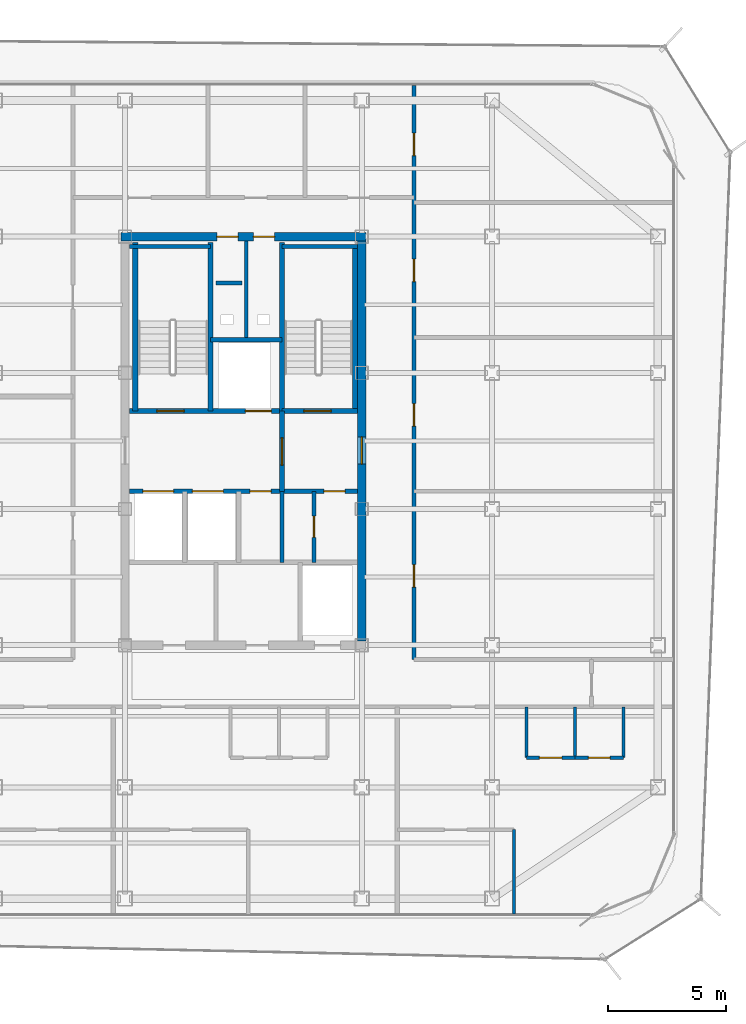
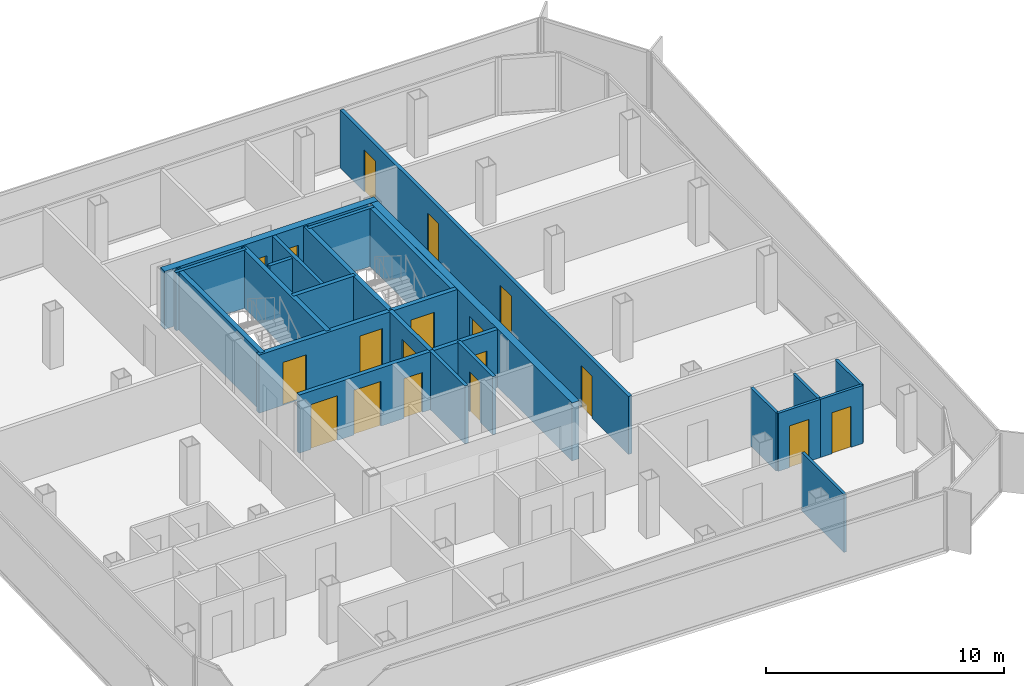
# One storey, part 11 of 15: 24 walls, 18 doors, 18 openings.
"""IFC4 building model written with IfcOpenShell, lengths in metres."""

from ifc_helpers import new_model, si_unit, direction, frame, frame_2d, origin, place, context, subcontext, project, spatial, rectangle, extrude, material, layer, layer_set, type_object, element, fill, save


model = new_model("IFC4")

# Units and contexts
model_context = context("Model", 3, precision=1e-05, world=origin(), true_north=direction((0.0, 1.0)))
body_context = subcontext(model_context, "Body", "Model", "MODEL_VIEW")
ifc_project = project(units=[si_unit("LENGTHUNIT", "METRE"), si_unit("AREAUNIT", "SQUARE_METRE"), si_unit("VOLUMEUNIT", "CUBIC_METRE"), si_unit("PLANEANGLEUNIT", "RADIAN"), si_unit("MASSUNIT", "GRAM", prefix="KILO")], contexts=[model_context])

# Site, building, storey
site_placement = place(None, origin())
site = spatial("IfcSite", under=ifc_project, at=site_placement, CompositionType="ELEMENT")
building_placement = place(site_placement, origin())
building = spatial("IfcBuilding", under=site, at=building_placement, Name="Kolveth Station Tower", CompositionType="ELEMENT")
storey_placement = place(building_placement, frame((0.0, 0.0, 223.300048828125)))
storey = spatial("IfcBuildingStorey", under=building, at=storey_placement, Name="L63", CompositionType="ELEMENT", Elevation=223.300048828125)

# Wall, openings, doors
ifc_material_1 = material(Name="Concrete C50/60", Category="concrete")
ifc_layer_1 = layer(ifc_material_1, 0.35009765625)
ifc_layer_set_1 = layer_set([ifc_layer_1], Name="Concrete C50/60")
wall_type_1 = type_object("IfcWallType", Name="Wall_CW-350", PredefinedType="SHEAR", material=ifc_layer_set_1)
wall_1_placement = place(storey_placement, frame((18.324951171875, 28.75, 0.0), z_axis=(0.0, 0.0, 1.0), x_axis=(1.0, 0.0, 0.0)))
wall_1 = element("IfcWall", 1, at=wall_1_placement, inside=storey, type_object=wall_type_1, Name="L63 Core RC Shear Wall N", PredefinedType="SHEAR", context=body_context, shape_type="SweptSolid", body=[
    extrude(rectangle(XDim=10.35009765625, YDim=0.35009765625, at=frame_2d((5.175048828125, 0.0))), origin(), (0.0, 0.0, 1.0), 2.97998046875),
])
opening_1_placement = place(wall_1_placement, frame((4.054931640625, 0.0, 0.0)))
opening_1 = element("IfcOpeningElement", 2, at=opening_1_placement, cuts=wall_1, Name="Opening RD1", PredefinedType="OPENING", context=body_context, shape_type="SweptSolid", body=[
    extrude(rectangle(XDim=0.89990234375, YDim=2.050048828125, at=frame_2d((0.449951171875, 1.02490234375))), frame((0.0, 0.18505859375, 0.0), z_axis=(0.0, -1.0, 0.0), x_axis=(1.0, 0.0, 0.0)), (0.0, 0.0, 1.0), 0.3701171875),
])
opening_2_placement = place(wall_1_placement, frame((5.594970703125, 0.0, 0.0)))
opening_2 = element("IfcOpeningElement", 3, at=opening_2_placement, cuts=wall_1, Name="Opening RD1", PredefinedType="OPENING", context=body_context, shape_type="SweptSolid", body=[
    extrude(rectangle(XDim=0.89990234375, YDim=2.050048828125, at=frame_2d((0.449951171875, 1.02490234375))), frame((0.0, 0.18505859375, 0.0), z_axis=(0.0, -1.0, 0.0), x_axis=(1.0, 0.0, 0.0)), (0.0, 0.0, 1.0), 0.3701171875),
])
ifc_material_2 = material(Name="Fire-rated Steel S355 riser access leaf", Category="steel")
door_type_1 = type_object("IfcDoorType", Name="Door_RD1", OperationType="NOTDEFINED", PredefinedType="DOOR", material=ifc_material_2)
door_1_placement = place(opening_1_placement, origin())
door_1 = element("IfcDoor", 4, at=door_1_placement, inside=storey, type_object=door_type_1, Name="L63 Electrical Riser Access Door", OperationType="SINGLE_SWING_LEFT", OverallHeight=2.050048828125, OverallWidth=0.89990234375, PredefinedType="DOOR", context=body_context, shape_type="SweptSolid", body=[
    extrude(rectangle(XDim=0.89990234375, YDim=2.050048828125, at=frame_2d((0.449951171875, 1.02490234375))), frame((0.0, 0.02490234375, 0.0), z_axis=(0.0, -1.0, 0.0), x_axis=(1.0, 0.0, 0.0)), (0.0, 0.0, 1.0), 0.050048828125),
])
fill(opening_1, door_1)
door_2_placement = place(opening_2_placement, origin())
door_2 = element("IfcDoor", 5, at=door_2_placement, inside=storey, type_object=door_type_1, Name="L63 Smoke Duct Access Door", OperationType="SINGLE_SWING_RIGHT", OverallHeight=2.050048828125, OverallWidth=0.89990234375, PredefinedType="DOOR", context=body_context, shape_type="SweptSolid", body=[
    extrude(rectangle(XDim=0.89990234375, YDim=2.050048828125, at=frame_2d((0.449951171875, 1.02490234375))), frame((0.0, 0.02490234375, 0.0), z_axis=(0.0, -1.0, 0.0), x_axis=(1.0, 0.0, 0.0)), (0.0, 0.0, 1.0), 0.050048828125),
])
fill(opening_2, door_2)

# Wall, opening, door
wall_2_placement = place(storey_placement, frame((28.5, 11.675048828125, 0.0), z_axis=(0.0, 0.0, 1.0), x_axis=(0.0, 1.0, 0.0)))
wall_2 = element("IfcWall", 6, at=wall_2_placement, inside=storey, type_object=wall_type_1, Name="L63 Core RC Shear Wall E", PredefinedType="SHEAR", context=body_context, shape_type="SweptSolid", body=[
    extrude(rectangle(XDim=16.89990234375, YDim=0.35009765625, at=frame_2d((8.449951171875, 0.0))), origin(), (0.0, 0.0, 1.0), 2.97998046875),
])
opening_3_placement = place(wall_2_placement, frame((7.47509765625, 0.0, 0.0)))
opening_3 = element("IfcOpeningElement", 7, at=opening_3_placement, cuts=wall_2, Name="Opening FD1", PredefinedType="OPENING", context=body_context, shape_type="SweptSolid", body=[
    extrude(rectangle(XDim=1.14990234375, YDim=2.199951171875, at=frame_2d((0.574951171875, 1.10009765625))), frame((0.0, 0.18505859375, 0.0), z_axis=(0.0, -1.0, 0.0), x_axis=(1.0, 0.0, 0.0)), (0.0, 0.0, 1.0), 0.3701171875),
])
ifc_material_3 = material(Name="Fire-rated Steel S355 leaf and frame", Category="steel")
door_type_2 = type_object("IfcDoorType", Name="Door_FD1", OperationType="NOTDEFINED", PredefinedType="DOOR", material=ifc_material_3)
door_3_placement = place(opening_3_placement, origin())
door_3 = element("IfcDoor", 8, at=door_3_placement, inside=storey, type_object=door_type_2, Name="L63 East Corridor to Stair Lobby Door", OperationType="SINGLE_SWING_RIGHT", OverallHeight=2.199951171875, OverallWidth=1.14990234375, PredefinedType="DOOR", context=body_context, shape_type="SweptSolid", body=[
    extrude(rectangle(XDim=1.14990234375, YDim=2.199951171875, at=frame_2d((0.574951171875, 1.10009765625))), frame((0.0, 0.02490234375, 0.0), z_axis=(0.0, -1.0, 0.0), x_axis=(1.0, 0.0, 0.0)), (0.0, 0.0, 1.0), 0.050048828125),
])
fill(opening_3, door_3)

ifc_material_4 = material(Name="Moisture-resistant gypsum partition")
ifc_layer_2 = layer(ifc_material_4, 0.135009765625)
ifc_layer_set_2 = layer_set([ifc_layer_2], Name="Moisture-resistant gypsum partition")
wall_type_2 = type_object("IfcWallType", Name="Wall_IW-135", PredefinedType="PARTITIONING", material=ifc_layer_set_2)
wall_3_placement = place(storey_placement, frame((35.449951171875, 6.75, 0.0), z_axis=(0.0, 0.0, 1.0), x_axis=(1.0, 0.0, 0.0)))
wall_3 = element("IfcWall", 9, at=wall_3_placement, inside=storey, type_object=wall_type_2, Name="L63 Partition Wall WL-L63-A3-IBHK", PredefinedType="PARTITIONING", context=body_context, shape_type="SweptSolid", body=[
    extrude(rectangle(XDim=2.050048828125, YDim=0.135009765625, at=frame_2d((1.02490234375, 0.0))), origin(), (0.0, 0.0, 1.0), 2.97998046875),
])
opening_4_placement = place(wall_3_placement, frame((0.544921875, 0.0, 0.0)))
opening_4 = element("IfcOpeningElement", 10, at=opening_4_placement, cuts=wall_3, Name="Opening ID1", PredefinedType="OPENING", context=body_context, shape_type="SweptSolid", body=[
    extrude(rectangle(XDim=0.949951171875, YDim=2.14990234375, at=frame_2d((0.47509765625, 1.074951171875))), frame((0.0, 0.077392578125, 0.0), z_axis=(0.0, -1.0, 0.0), x_axis=(1.0, 0.0, 0.0)), (0.0, 0.0, 1.0), 0.155029296875),
])
ifc_material_5 = material(Name="Acoustic hardwood leaf and aluminium frame", Category="wood")
door_type_3 = type_object("IfcDoorType", Name="Door_ID1", OperationType="NOTDEFINED", PredefinedType="DOOR", material=ifc_material_5)
door_4_placement = place(opening_4_placement, origin())
door_4 = element("IfcDoor", 11, at=door_4_placement, inside=storey, type_object=door_type_3, Name="Flat L63-A3 Kitchen Door", OperationType="SINGLE_SWING_LEFT", OverallHeight=2.14990234375, OverallWidth=0.949951171875, PredefinedType="DOOR", context=body_context, shape_type="SweptSolid", body=[
    extrude(rectangle(XDim=0.949951171875, YDim=2.14990234375, at=frame_2d((0.47509765625, 1.074951171875))), frame((0.0, 0.02490234375, 0.0), z_axis=(0.0, -1.0, 0.0), x_axis=(1.0, 0.0, 0.0)), (0.0, 0.0, 1.0), 0.050048828125),
])
fill(opening_4, door_4)

wall_4_placement = place(storey_placement, frame((37.5, 6.75, 0.0), z_axis=(0.0, 0.0, 1.0), x_axis=(1.0, 0.0, 0.0)))
wall_4 = element("IfcWall", 12, at=wall_4_placement, inside=storey, type_object=wall_type_2, Name="L63 Partition Wall WL-L63-A3-IBHB", PredefinedType="PARTITIONING", context=body_context, shape_type="SweptSolid", body=[
    extrude(rectangle(XDim=2.050048828125, YDim=0.135009765625, at=frame_2d((1.02490234375, 0.0))), origin(), (0.0, 0.0, 1.0), 2.97998046875),
])
opening_5_placement = place(wall_4_placement, frame((0.56494140625, 0.0, 0.0)))
opening_5 = element("IfcOpeningElement", 13, at=opening_5_placement, cuts=wall_4, Name="Opening ID2", PredefinedType="OPENING", context=body_context, shape_type="SweptSolid", body=[
    extrude(rectangle(XDim=0.919921875, YDim=2.10009765625, at=frame_2d((0.4599609375, 1.050048828125))), frame((0.0, 0.077392578125, 0.0), z_axis=(0.0, -1.0, 0.0), x_axis=(1.0, 0.0, 0.0)), (0.0, 0.0, 1.0), 0.155029296875),
])
ifc_material_6 = material(Name="Moisture-resistant hardwood leaf", Category="wood")
door_type_4 = type_object("IfcDoorType", Name="Door_ID2", OperationType="NOTDEFINED", PredefinedType="DOOR", material=ifc_material_6)
door_5_placement = place(opening_5_placement, origin())
door_5 = element("IfcDoor", 14, at=door_5_placement, inside=storey, type_object=door_type_4, Name="Flat L63-A3 Bathroom Door", OperationType="SINGLE_SWING_RIGHT", OverallHeight=2.10009765625, OverallWidth=0.919921875, PredefinedType="DOOR", context=body_context, shape_type="SweptSolid", body=[
    extrude(rectangle(XDim=0.919921875, YDim=2.10009765625, at=frame_2d((0.4599609375, 1.050048828125))), frame((0.0, 0.02490234375, 0.0), z_axis=(0.0, -1.0, 0.0), x_axis=(1.0, 0.0, 0.0)), (0.0, 0.0, 1.0), 0.050048828125),
])
fill(opening_5, door_5)

# Walls
for number, where, z_axis, x_axis, name in (
    (15, (35.449951171875, 6.75, 0.0), (0.0, 0.0, 1.0), (0.0, 1.0, 0.0), "L63 Partition Wall WL-L63-A3-IBV0"),
    (16, (37.5, 6.75, 0.0), (0.0, 0.0, 1.0), (0.0, 1.0, 0.0), "L63 Partition Wall WL-L63-A3-IBV1"),
    (17, (39.550048828125, 6.75, 0.0), (0.0, 0.0, 1.0), (0.0, 1.0, 0.0), "L63 Partition Wall WL-L63-A3-IBV2"),
):
    element("IfcWall", number, at=place(storey_placement, frame(where, z_axis=z_axis, x_axis=x_axis)), inside=storey, type_object=wall_type_2, Name=name, PredefinedType="PARTITIONING", context=body_context, shape_type="SweptSolid", body=[
        extrude(rectangle(XDim=2.14990234375, YDim=0.135009765625, at=frame_2d((1.074951171875, 0.0))), origin(), (0.0, 0.0, 1.0), 2.97998046875),
    ])
wall_5_placement = place(storey_placement, frame((34.928955078125, 0.159912109375, 0.0), z_axis=(0.0, 0.0, 1.0), x_axis=(0.0, 1.0, 0.0)))
element("IfcWall", 18, at=wall_5_placement, inside=storey, type_object=wall_type_2, Name="L63 Partition Wall WL-L63-A3-BDVE", PredefinedType="PARTITIONING", context=body_context, shape_type="SweptSolid", body=[
    extrude(rectangle(XDim=3.550048828125, YDim=0.135009765625, at=frame_2d((1.77490234375, 0.0))), origin(), (0.0, 0.0, 1.0), 2.97998046875),
])
ifc_material_7 = material(Name="Acoustic double-stud gypsum partition")
ifc_layer_3 = layer(ifc_material_7, 0.1650390625)
ifc_layer_set_3 = layer_set([ifc_layer_3], Name="Acoustic double-stud gypsum partition")
wall_type_3 = type_object("IfcWallType", Name="Wall_IW-165", PredefinedType="PARTITIONING", material=ifc_layer_set_3)
wall_6_placement = place(storey_placement, frame((18.68505859375, 28.3349609375, 0.0), z_axis=(0.0, 0.0, 1.0), x_axis=(1.0, 0.0, 0.0)))
element("IfcWall", 19, at=wall_6_placement, inside=storey, type_object=wall_type_3, Name="L63 Stair Shaft Wall WL-L63-ST1-N", PredefinedType="PARTITIONING", context=body_context, shape_type="SweptSolid", body=[
    extrude(rectangle(XDim=3.425048828125, YDim=0.1650390625, at=frame_2d((1.71240234375, 0.0))), origin(), (0.0, 0.0, 1.0), 2.97998046875),
])
wall_7_placement = place(storey_placement, frame((25.1298828125, 28.3349609375, 0.0), z_axis=(0.0, 0.0, 1.0), x_axis=(1.0, 0.0, 0.0)))
element("IfcWall", 20, at=wall_7_placement, inside=storey, type_object=wall_type_3, Name="L63 Stair Shaft Wall WL-L63-ST2-N", PredefinedType="PARTITIONING", context=body_context, shape_type="SweptSolid", body=[
    extrude(rectangle(XDim=3.18505859375, YDim=0.1650390625, at=frame_2d((1.592529296875, 0.0))), origin(), (0.0, 0.0, 1.0), 2.97998046875),
])
wall_8_placement = place(storey_placement, frame((23.6201171875, 24.39990234375, 0.0), z_axis=(0.0, 0.0, 1.0), x_axis=(0.0, 1.0, 0.0)))
element("IfcWall", 21, at=wall_8_placement, inside=storey, type_object=wall_type_3, Name="L63 Partition Wall WL-L63-RSR-M", PredefinedType="PARTITIONING", context=body_context, shape_type="SweptSolid", body=[
    extrude(rectangle(XDim=4.1650390625, YDim=0.1650390625, at=frame_2d((2.08251953125, 0.0))), origin(), (0.0, 0.0, 1.0), 2.97998046875),
])
wall_9_placement = place(storey_placement, frame((25.1298828125, 15.0, 0.0), z_axis=(0.0, 0.0, 1.0), x_axis=(0.0, 1.0, 0.0)))
element("IfcWall", 22, at=wall_9_placement, inside=storey, type_object=wall_type_3, Name="L63 Partition Wall WL-L63-CB-V3A", PredefinedType="PARTITIONING", context=body_context, shape_type="SweptSolid", body=[
    extrude(rectangle(XDim=3.0, YDim=0.1650390625, at=frame_2d((1.5, 0.0))), origin(), (0.0, 0.0, 1.0), 2.97998046875),
])

# Wall, opening, door
wall_10_placement = place(storey_placement, frame((26.47998046875, 15.0, 0.0), z_axis=(0.0, 0.0, 1.0), x_axis=(0.0, 1.0, 0.0)))
wall_10 = element("IfcWall", 23, at=wall_10_placement, inside=storey, type_object=wall_type_3, Name="L63 Partition Wall WL-L63-CB-V3B", PredefinedType="PARTITIONING", context=body_context, shape_type="SweptSolid", body=[
    extrude(rectangle(XDim=3.0, YDim=0.1650390625, at=frame_2d((1.5, 0.0))), origin(), (0.0, 0.0, 1.0), 2.97998046875),
])
opening_6_placement = place(wall_10_placement, frame((1.050048828125, 0.0, 0.0)))
opening_6 = element("IfcOpeningElement", 24, at=opening_6_placement, cuts=wall_10, Name="Opening RD1", PredefinedType="OPENING", context=body_context, shape_type="SweptSolid", body=[
    extrude(rectangle(XDim=0.89990234375, YDim=2.050048828125, at=frame_2d((0.449951171875, 1.02490234375))), frame((0.0, 0.092529296875, 0.0), z_axis=(0.0, -1.0, 0.0), x_axis=(1.0, 0.0, 0.0)), (0.0, 0.0, 1.0), 0.18505859375),
])
door_6_placement = place(opening_6_placement, origin())
door_6 = element("IfcDoor", 25, at=door_6_placement, inside=storey, type_object=door_type_1, Name="L63 Core Meter Closet Door", OperationType="SINGLE_SWING_LEFT", OverallHeight=2.050048828125, OverallWidth=0.89990234375, PredefinedType="DOOR", context=body_context, shape_type="SweptSolid", body=[
    extrude(rectangle(XDim=0.89990234375, YDim=2.050048828125, at=frame_2d((0.449951171875, 1.02490234375))), frame((0.0, 0.02490234375, 0.0), z_axis=(0.0, -1.0, 0.0), x_axis=(1.0, 0.0, 0.0)), (0.0, 0.0, 1.0), 0.050048828125),
])
fill(opening_6, door_6)

# Wall, openings, doors
wall_11_placement = place(storey_placement, frame((30.699951171875, 10.89990234375, 0.0), z_axis=(0.0, 0.0, 1.0), x_axis=(0.0, 1.0, 0.0)))
wall_11 = element("IfcWall", 26, at=wall_11_placement, inside=storey, type_object=wall_type_3, Name="L63 Partition Wall WL-L63-RE", PredefinedType="PARTITIONING", context=body_context, shape_type="SweptSolid", body=[
    extrude(rectangle(XDim=24.239990234375, YDim=0.1650390625, at=frame_2d((12.1201171875, 0.0))), origin(), (0.0, 0.0, 1.0), 2.97998046875),
])
opening_7_placement = place(wall_11_placement, frame((3.050048828125, 0.0, 0.0)))
opening_7 = element("IfcOpeningElement", 27, at=opening_7_placement, cuts=wall_11, Name="Opening ID1", PredefinedType="OPENING", context=body_context, shape_type="SweptSolid", body=[
    extrude(rectangle(XDim=0.949951171875, YDim=2.14990234375, at=frame_2d((0.47509765625, 1.074951171875))), frame((0.0, 0.092529296875, 0.0), z_axis=(0.0, -1.0, 0.0), x_axis=(1.0, 0.0, 0.0)), (0.0, 0.0, 1.0), 0.18505859375),
])
opening_8_placement = place(wall_11_placement, frame((9.85009765625, 0.0, 0.0)))
opening_8 = element("IfcOpeningElement", 28, at=opening_8_placement, cuts=wall_11, Name="Opening ID1", PredefinedType="OPENING", context=body_context, shape_type="SweptSolid", body=[
    extrude(rectangle(XDim=0.949951171875, YDim=2.14990234375, at=frame_2d((0.47509765625, 1.074951171875))), frame((0.0, 0.092529296875, 0.0), z_axis=(0.0, -1.0, 0.0), x_axis=(1.0, 0.0, 0.0)), (0.0, 0.0, 1.0), 0.18505859375),
])
opening_9_placement = place(wall_11_placement, frame((15.949951171875, 0.0, 0.0)))
opening_9 = element("IfcOpeningElement", 29, at=opening_9_placement, cuts=wall_11, Name="Opening ID1", PredefinedType="OPENING", context=body_context, shape_type="SweptSolid", body=[
    extrude(rectangle(XDim=0.949951171875, YDim=2.14990234375, at=frame_2d((0.47509765625, 1.074951171875))), frame((0.0, 0.092529296875, 0.0), z_axis=(0.0, -1.0, 0.0), x_axis=(1.0, 0.0, 0.0)), (0.0, 0.0, 1.0), 0.18505859375),
])
opening_10_placement = place(wall_11_placement, frame((21.27001953125, 0.0, 0.0)))
opening_10 = element("IfcOpeningElement", 30, at=opening_10_placement, cuts=wall_11, Name="Opening ID1", PredefinedType="OPENING", context=body_context, shape_type="SweptSolid", body=[
    extrude(rectangle(XDim=0.949951171875, YDim=2.14990234375, at=frame_2d((0.47509765625, 1.074951171875))), frame((0.0, 0.092529296875, 0.0), z_axis=(0.0, -1.0, 0.0), x_axis=(1.0, 0.0, 0.0)), (0.0, 0.0, 1.0), 0.18505859375),
])
door_7_placement = place(opening_7_placement, origin())
door_7 = element("IfcDoor", 31, at=door_7_placement, inside=storey, type_object=door_type_3, Name="L63 Quiet Reading Study E1 Door", OperationType="SINGLE_SWING_LEFT", OverallHeight=2.14990234375, OverallWidth=0.949951171875, PredefinedType="DOOR", context=body_context, shape_type="SweptSolid", body=[
    extrude(rectangle(XDim=0.949951171875, YDim=2.14990234375, at=frame_2d((0.47509765625, 1.074951171875))), frame((0.0, 0.02490234375, 0.0), z_axis=(0.0, -1.0, 0.0), x_axis=(1.0, 0.0, 0.0)), (0.0, 0.0, 1.0), 0.050048828125),
])
fill(opening_7, door_7)
door_8_placement = place(opening_8_placement, origin())
door_8 = element("IfcDoor", 32, at=door_8_placement, inside=storey, type_object=door_type_3, Name="L63 Quiet Reading Study E2 Door", OperationType="SINGLE_SWING_LEFT", OverallHeight=2.14990234375, OverallWidth=0.949951171875, PredefinedType="DOOR", context=body_context, shape_type="SweptSolid", body=[
    extrude(rectangle(XDim=0.949951171875, YDim=2.14990234375, at=frame_2d((0.47509765625, 1.074951171875))), frame((0.0, 0.02490234375, 0.0), z_axis=(0.0, -1.0, 0.0), x_axis=(1.0, 0.0, 0.0)), (0.0, 0.0, 1.0), 0.050048828125),
])
fill(opening_8, door_8)
door_9_placement = place(opening_9_placement, origin())
door_9 = element("IfcDoor", 33, at=door_9_placement, inside=storey, type_object=door_type_3, Name="L63 Residents' Conference Room Door", OperationType="SINGLE_SWING_LEFT", OverallHeight=2.14990234375, OverallWidth=0.949951171875, PredefinedType="DOOR", context=body_context, shape_type="SweptSolid", body=[
    extrude(rectangle(XDim=0.949951171875, YDim=2.14990234375, at=frame_2d((0.47509765625, 1.074951171875))), frame((0.0, 0.02490234375, 0.0), z_axis=(0.0, -1.0, 0.0), x_axis=(1.0, 0.0, 0.0)), (0.0, 0.0, 1.0), 0.050048828125),
])
fill(opening_9, door_9)
door_10_placement = place(opening_10_placement, origin())
door_10 = element("IfcDoor", 34, at=door_10_placement, inside=storey, type_object=door_type_3, Name="L63 Tea Pantry Door", OperationType="SINGLE_SWING_RIGHT", OverallHeight=2.14990234375, OverallWidth=0.949951171875, PredefinedType="DOOR", context=body_context, shape_type="SweptSolid", body=[
    extrude(rectangle(XDim=0.949951171875, YDim=2.14990234375, at=frame_2d((0.47509765625, 1.074951171875))), frame((0.0, 0.02490234375, 0.0), z_axis=(0.0, -1.0, 0.0), x_axis=(1.0, 0.0, 0.0)), (0.0, 0.0, 1.0), 0.050048828125),
])
fill(opening_10, door_10)

# Walls
wall_12_placement = place(storey_placement, frame((22.35009765625, 26.800048828125, 0.0), z_axis=(0.0, 0.0, 1.0), x_axis=(1.0, 0.0, 0.0)))
element("IfcWall", 35, at=wall_12_placement, inside=storey, type_object=wall_type_3, Name="L63 Acoustic Riser Dry-Lining Wall", PredefinedType="PARTITIONING", context=body_context, shape_type="SweptSolid", body=[
    extrude(rectangle(XDim=1.099853515625, YDim=0.1650390625, at=frame_2d((0.5498046875, 0.0))), origin(), (0.0, 0.0, 1.0), 2.97998046875),
])
ifc_material_8 = material(Name="Acoustic fire-rated gypsum blockwork", Category="masonry")
ifc_layer_4 = layer(ifc_material_8, 0.199951171875)
ifc_layer_set_4 = layer_set([ifc_layer_4], Name="Acoustic fire-rated gypsum blockwork")
wall_type_4 = type_object("IfcWallType", Name="Wall_IW-200", PredefinedType="PARTITIONING", material=ifc_layer_set_4)
wall_13_placement = place(storey_placement, frame((22.110107421875, 24.39990234375, 0.0), z_axis=(0.0, 0.0, 1.0), x_axis=(1.0, 0.0, 0.0)))
element("IfcWall", 36, at=wall_13_placement, inside=storey, type_object=wall_type_4, Name="L63 Partition Wall WL-L63-RSR-S", PredefinedType="PARTITIONING", context=body_context, shape_type="SweptSolid", body=[
    extrude(rectangle(XDim=3.019775390625, YDim=0.199951171875, at=frame_2d((1.509765625, 0.0))), origin(), (0.0, 0.0, 1.0), 2.97998046875),
])

# Wall, opening, door
wall_14_placement = place(storey_placement, frame((25.1298828125, 18.0, 0.0), z_axis=(0.0, 0.0, 1.0), x_axis=(0.0, 1.0, 0.0)))
wall_14 = element("IfcWall", 37, at=wall_14_placement, inside=storey, type_object=wall_type_4, Name="L63 Partition Wall WL-L63-FFL-E", PredefinedType="PARTITIONING", context=body_context, shape_type="SweptSolid", body=[
    extrude(rectangle(XDim=3.389892578125, YDim=0.199951171875, at=frame_2d((1.69482421875, 0.0))), origin(), (0.0, 0.0, 1.0), 2.97998046875),
])
opening_11_placement = place(wall_14_placement, frame((1.10009765625, 0.0, 0.0)))
opening_11 = element("IfcOpeningElement", 38, at=opening_11_placement, cuts=wall_14, Name="Opening FD1", PredefinedType="OPENING", context=body_context, shape_type="SweptSolid", body=[
    extrude(rectangle(XDim=1.14990234375, YDim=2.199951171875, at=frame_2d((0.574951171875, 1.10009765625))), frame((0.0, 0.10986328125, 0.0), z_axis=(0.0, -1.0, 0.0), x_axis=(1.0, 0.0, 0.0)), (0.0, 0.0, 1.0), 0.219970703125),
])
door_11_placement = place(opening_11_placement, origin())
door_11 = element("IfcDoor", 39, at=door_11_placement, inside=storey, type_object=door_type_2, Name="L63 Firefighting to Stair Lobby Door", OperationType="SINGLE_SWING_LEFT", OverallHeight=2.199951171875, OverallWidth=1.14990234375, PredefinedType="DOOR", context=body_context, shape_type="SweptSolid", body=[
    extrude(rectangle(XDim=1.14990234375, YDim=2.199951171875, at=frame_2d((0.574951171875, 1.10009765625))), frame((0.0, 0.02490234375, 0.0), z_axis=(0.0, -1.0, 0.0), x_axis=(1.0, 0.0, 0.0)), (0.0, 0.0, 1.0), 0.050048828125),
])
fill(opening_11, door_11)

# Wall, openings, doors
wall_15_placement = place(storey_placement, frame((18.68505859375, 18.0, 0.0), z_axis=(0.0, 0.0, 1.0), x_axis=(1.0, 0.0, 0.0)))
wall_15 = element("IfcWall", 40, at=wall_15_placement, inside=storey, type_object=wall_type_4, Name="L63 Partition Wall WL-L63-FFL-S", PredefinedType="PARTITIONING", context=body_context, shape_type="SweptSolid", body=[
    extrude(rectangle(XDim=9.6298828125, YDim=0.199951171875, at=frame_2d((4.81494140625, 0.0))), origin(), (0.0, 0.0, 1.0), 2.97998046875),
])
opening_12_placement = place(wall_15_placement, frame((0.56494140625, 0.0, 0.0)))
opening_12 = element("IfcOpeningElement", 41, at=opening_12_placement, cuts=wall_15, Name="Opening LD2", PredefinedType="OPENING", context=body_context, shape_type="SweptSolid", body=[
    extrude(rectangle(XDim=1.300048828125, YDim=2.300048828125, at=frame_2d((0.64990234375, 1.14990234375))), frame((0.0, 0.10986328125, 0.0), z_axis=(0.0, -1.0, 0.0), x_axis=(1.0, 0.0, 0.0)), (0.0, 0.0, 1.0), 0.219970703125),
])
opening_13_placement = place(wall_15_placement, frame((2.6650390625, 0.0, 0.0)))
opening_13 = element("IfcOpeningElement", 42, at=opening_13_placement, cuts=wall_15, Name="Opening LD2", PredefinedType="OPENING", context=body_context, shape_type="SweptSolid", body=[
    extrude(rectangle(XDim=1.300048828125, YDim=2.300048828125, at=frame_2d((0.64990234375, 1.14990234375))), frame((0.0, 0.10986328125, 0.0), z_axis=(0.0, -1.0, 0.0), x_axis=(1.0, 0.0, 0.0)), (0.0, 0.0, 1.0), 0.219970703125),
])
opening_14_placement = place(wall_15_placement, frame((5.0849609375, 0.0, 0.0)))
opening_14 = element("IfcOpeningElement", 43, at=opening_14_placement, cuts=wall_15, Name="Opening RD1", PredefinedType="OPENING", context=body_context, shape_type="SweptSolid", body=[
    extrude(rectangle(XDim=0.89990234375, YDim=2.050048828125, at=frame_2d((0.449951171875, 1.02490234375))), frame((0.0, 0.10986328125, 0.0), z_axis=(0.0, -1.0, 0.0), x_axis=(1.0, 0.0, 0.0)), (0.0, 0.0, 1.0), 0.219970703125),
])
opening_15_placement = place(wall_15_placement, frame((8.215087890625, 0.0, 0.0)))
opening_15 = element("IfcOpeningElement", 44, at=opening_15_placement, cuts=wall_15, Name="Opening RD1", PredefinedType="OPENING", context=body_context, shape_type="SweptSolid", body=[
    extrude(rectangle(XDim=0.89990234375, YDim=2.050048828125, at=frame_2d((0.449951171875, 1.02490234375))), frame((0.0, 0.10986328125, 0.0), z_axis=(0.0, -1.0, 0.0), x_axis=(1.0, 0.0, 0.0)), (0.0, 0.0, 1.0), 0.219970703125),
])
ifc_material_9 = material(Name="Firefighting stainless steel sliding landing doors", Category="steel")
door_type_5 = type_object("IfcDoorType", Name="Door_LD2", OperationType="NOTDEFINED", PredefinedType="DOOR", material=ifc_material_9)
door_12_placement = place(opening_12_placement, origin())
door_12 = element("IfcDoor", 45, at=door_12_placement, inside=storey, type_object=door_type_5, Name="L63 Firefighting Lift FF1 Landing Door", OperationType="DOUBLE_DOOR_SLIDING", OverallHeight=2.300048828125, OverallWidth=1.300048828125, PredefinedType="DOOR", context=body_context, shape_type="SweptSolid", body=[
    extrude(rectangle(XDim=1.300048828125, YDim=2.300048828125, at=frame_2d((0.64990234375, 1.14990234375))), frame((0.0, 0.02490234375, 0.0), z_axis=(0.0, -1.0, 0.0), x_axis=(1.0, 0.0, 0.0)), (0.0, 0.0, 1.0), 0.050048828125),
])
fill(opening_12, door_12)
door_13_placement = place(opening_13_placement, origin())
door_13 = element("IfcDoor", 46, at=door_13_placement, inside=storey, type_object=door_type_5, Name="L63 Firefighting Lift FF2 Landing Door", OperationType="DOUBLE_DOOR_SLIDING", OverallHeight=2.300048828125, OverallWidth=1.300048828125, PredefinedType="DOOR", context=body_context, shape_type="SweptSolid", body=[
    extrude(rectangle(XDim=1.300048828125, YDim=2.300048828125, at=frame_2d((0.64990234375, 1.14990234375))), frame((0.0, 0.02490234375, 0.0), z_axis=(0.0, -1.0, 0.0), x_axis=(1.0, 0.0, 0.0)), (0.0, 0.0, 1.0), 0.050048828125),
])
fill(opening_13, door_13)
door_14_placement = place(opening_14_placement, frame((0.89990234375, 0.0, 0.0), z_axis=(0.0, 0.0, 1.0), x_axis=(-1.0, 0.0, 0.0)))
door_14 = element("IfcDoor", 47, at=door_14_placement, inside=storey, type_object=door_type_1, Name="L63 Core Staff WC Door", OperationType="SINGLE_SWING_LEFT", OverallHeight=2.050048828125, OverallWidth=0.89990234375, PredefinedType="DOOR", context=body_context, shape_type="SweptSolid", body=[
    extrude(rectangle(XDim=0.89990234375, YDim=2.050048828125, at=frame_2d((0.449951171875, 1.02490234375))), frame((0.0, 0.02490234375, 0.0), z_axis=(0.0, -1.0, 0.0), x_axis=(1.0, 0.0, 0.0)), (0.0, 0.0, 1.0), 0.050048828125),
])
fill(opening_14, door_14)
door_15_placement = place(opening_15_placement, frame((0.89990234375, 0.0, 0.0), z_axis=(0.0, 0.0, 1.0), x_axis=(-1.0, 0.0, 0.0)))
door_15 = element("IfcDoor", 48, at=door_15_placement, inside=storey, type_object=door_type_1, Name="L63 Core Janitor Store Door", OperationType="SINGLE_SWING_RIGHT", OverallHeight=2.050048828125, OverallWidth=0.89990234375, PredefinedType="DOOR", context=body_context, shape_type="SweptSolid", body=[
    extrude(rectangle(XDim=0.89990234375, YDim=2.050048828125, at=frame_2d((0.449951171875, 1.02490234375))), frame((0.0, 0.02490234375, 0.0), z_axis=(0.0, -1.0, 0.0), x_axis=(1.0, 0.0, 0.0)), (0.0, 0.0, 1.0), 0.050048828125),
])
fill(opening_15, door_15)

# Walls
ifc_material_10 = material(Name="Concrete C40/50", Category="concrete")
ifc_layer_5 = layer(ifc_material_10, 0.219970703125)
ifc_layer_set_5 = layer_set([ifc_layer_5], Name="Concrete C40/50")
wall_type_5 = type_object("IfcWallType", Name="Wall_IW-220", PredefinedType="SOLIDWALL", material=ifc_layer_set_5)
for number, where, z_axis, x_axis, name in (
    (49, (18.929931640625, 21.389892578125, 0.0), (0.0, 0.0, 1.0), (0.0, 1.0, 0.0), "L63 Stair Shaft Wall WL-L63-ST1-W"),
    (50, (22.110107421875, 21.389892578125, 0.0), (0.0, 0.0, 1.0), (0.0, 1.0, 0.0), "L63 Stair Shaft Wall WL-L63-ST1-E"),
    (51, (25.1298828125, 21.389892578125, 0.0), (0.0, 0.0, 1.0), (0.0, 1.0, 0.0), "L63 Stair Shaft Wall WL-L63-ST2-W"),
):
    element("IfcWall", number, at=place(storey_placement, frame(where, z_axis=z_axis, x_axis=x_axis)), inside=storey, type_object=wall_type_5, Name=name, PredefinedType="SOLIDWALL", context=body_context, shape_type="SweptSolid", body=[
        extrude(rectangle(XDim=7.110107421875, YDim=0.219970703125, at=frame_2d((3.55517578125, 0.0))), origin(), (0.0, 0.0, 1.0), 2.97998046875),
    ])
wall_16_placement = place(storey_placement, frame((28.2099609375, 21.389892578125, 0.0), z_axis=(0.0, 0.0, 1.0), x_axis=(0.0, 1.0, 0.0)))
element("IfcWall", 52, at=wall_16_placement, inside=storey, type_object=wall_type_5, Name="L63 Stair Shaft Wall WL-L63-ST2-E", PredefinedType="SOLIDWALL", context=body_context, shape_type="SweptSolid", body=[
    extrude(rectangle(XDim=6.945068359375, YDim=0.219970703125, at=frame_2d((3.47265625, 0.0))), origin(), (0.0, 0.0, 1.0), 2.97998046875),
])

# Wall, openings, doors
wall_17_placement = place(storey_placement, frame((18.68505859375, 21.389892578125, 0.0), z_axis=(0.0, 0.0, 1.0), x_axis=(1.0, 0.0, 0.0)))
wall_17 = element("IfcWall", 53, at=wall_17_placement, inside=storey, type_object=wall_type_5, Name="L63 Stair Shaft Wall WL-L63-ST1-S", PredefinedType="SOLIDWALL", context=body_context, shape_type="SweptSolid", body=[
    extrude(rectangle(XDim=6.44482421875, YDim=0.219970703125, at=frame_2d((3.222412109375, 0.0))), origin(), (0.0, 0.0, 1.0), 2.97998046875),
])
opening_16_placement = place(wall_17_placement, frame((1.1650390625, 0.0, 0.0)))
opening_16 = element("IfcOpeningElement", 54, at=opening_16_placement, cuts=wall_17, Name="Opening FD1", PredefinedType="OPENING", context=body_context, shape_type="SweptSolid", body=[
    extrude(rectangle(XDim=1.14990234375, YDim=2.199951171875, at=frame_2d((0.574951171875, 1.10009765625))), frame((0.0, 0.119873046875, 0.0), z_axis=(0.0, -1.0, 0.0), x_axis=(1.0, 0.0, 0.0)), (0.0, 0.0, 1.0), 0.239990234375),
])
opening_17_placement = place(wall_17_placement, frame((4.89501953125, 0.0, 0.0)))
opening_17 = element("IfcOpeningElement", 55, at=opening_17_placement, cuts=wall_17, Name="Opening LD1", PredefinedType="OPENING", context=body_context, shape_type="SweptSolid", body=[
    extrude(rectangle(XDim=1.10009765625, YDim=2.25, at=frame_2d((0.550048828125, 1.125))), frame((0.0, 0.119873046875, 0.0), z_axis=(0.0, -1.0, 0.0), x_axis=(1.0, 0.0, 0.0)), (0.0, 0.0, 1.0), 0.239990234375),
])
door_16_placement = place(opening_16_placement, frame((1.14990234375, 0.0, 0.0), z_axis=(0.0, 0.0, 1.0), x_axis=(-1.0, 0.0, 0.0)))
door_16 = element("IfcDoor", 56, at=door_16_placement, inside=storey, type_object=door_type_2, Name="L63 Stair ST1 Fire Door", OperationType="SINGLE_SWING_LEFT", OverallHeight=2.199951171875, OverallWidth=1.14990234375, PredefinedType="DOOR", context=body_context, shape_type="SweptSolid", body=[
    extrude(rectangle(XDim=1.14990234375, YDim=2.199951171875, at=frame_2d((0.574951171875, 1.10009765625))), frame((0.0, 0.02490234375, 0.0), z_axis=(0.0, -1.0, 0.0), x_axis=(1.0, 0.0, 0.0)), (0.0, 0.0, 1.0), 0.050048828125),
])
fill(opening_16, door_16)
ifc_material_11 = material(Name="Brushed stainless steel sliding landing doors", Category="steel")
door_type_6 = type_object("IfcDoorType", Name="Door_LD1", OperationType="NOTDEFINED", PredefinedType="DOOR", material=ifc_material_11)
door_17_placement = place(opening_17_placement, frame((1.10009765625, 0.0, 0.0), z_axis=(0.0, 0.0, 1.0), x_axis=(-1.0, 0.0, 0.0)))
door_17 = element("IfcDoor", 57, at=door_17_placement, inside=storey, type_object=door_type_6, Name="L63 Service Lift SV1 Landing Door", OperationType="DOUBLE_DOOR_SLIDING", OverallHeight=2.25, OverallWidth=1.10009765625, PredefinedType="DOOR", context=body_context, shape_type="SweptSolid", body=[
    extrude(rectangle(XDim=1.10009765625, YDim=2.25, at=frame_2d((0.550048828125, 1.125))), frame((0.0, 0.02490234375, 0.0), z_axis=(0.0, -1.0, 0.0), x_axis=(1.0, 0.0, 0.0)), (0.0, 0.0, 1.0), 0.050048828125),
])
fill(opening_17, door_17)

# Wall, opening, door
wall_18_placement = place(storey_placement, frame((25.1298828125, 21.389892578125, 0.0), z_axis=(0.0, 0.0, 1.0), x_axis=(1.0, 0.0, 0.0)))
wall_18 = element("IfcWall", 58, at=wall_18_placement, inside=storey, type_object=wall_type_5, Name="L63 Stair Shaft Wall WL-L63-ST2-S", PredefinedType="SOLIDWALL", context=body_context, shape_type="SweptSolid", body=[
    extrude(rectangle(XDim=3.18505859375, YDim=0.219970703125, at=frame_2d((1.592529296875, 0.0))), origin(), (0.0, 0.0, 1.0), 2.97998046875),
])
opening_18_placement = place(wall_18_placement, frame((0.919921875, 0.0, 0.0)))
opening_18 = element("IfcOpeningElement", 59, at=opening_18_placement, cuts=wall_18, Name="Opening FD1", PredefinedType="OPENING", context=body_context, shape_type="SweptSolid", body=[
    extrude(rectangle(XDim=1.14990234375, YDim=2.199951171875, at=frame_2d((0.574951171875, 1.10009765625))), frame((0.0, 0.119873046875, 0.0), z_axis=(0.0, -1.0, 0.0), x_axis=(1.0, 0.0, 0.0)), (0.0, 0.0, 1.0), 0.239990234375),
])
door_18_placement = place(opening_18_placement, frame((1.14990234375, 0.0, 0.0), z_axis=(0.0, 0.0, 1.0), x_axis=(-1.0, 0.0, 0.0)))
door_18 = element("IfcDoor", 60, at=door_18_placement, inside=storey, type_object=door_type_2, Name="L63 Stair ST2 Fire Door", OperationType="SINGLE_SWING_RIGHT", OverallHeight=2.199951171875, OverallWidth=1.14990234375, PredefinedType="DOOR", context=body_context, shape_type="SweptSolid", body=[
    extrude(rectangle(XDim=1.14990234375, YDim=2.199951171875, at=frame_2d((0.574951171875, 1.10009765625))), frame((0.0, 0.02490234375, 0.0), z_axis=(0.0, -1.0, 0.0), x_axis=(1.0, 0.0, 0.0)), (0.0, 0.0, 1.0), 0.050048828125),
])
fill(opening_18, door_18)

save(model, "model.ifc")
